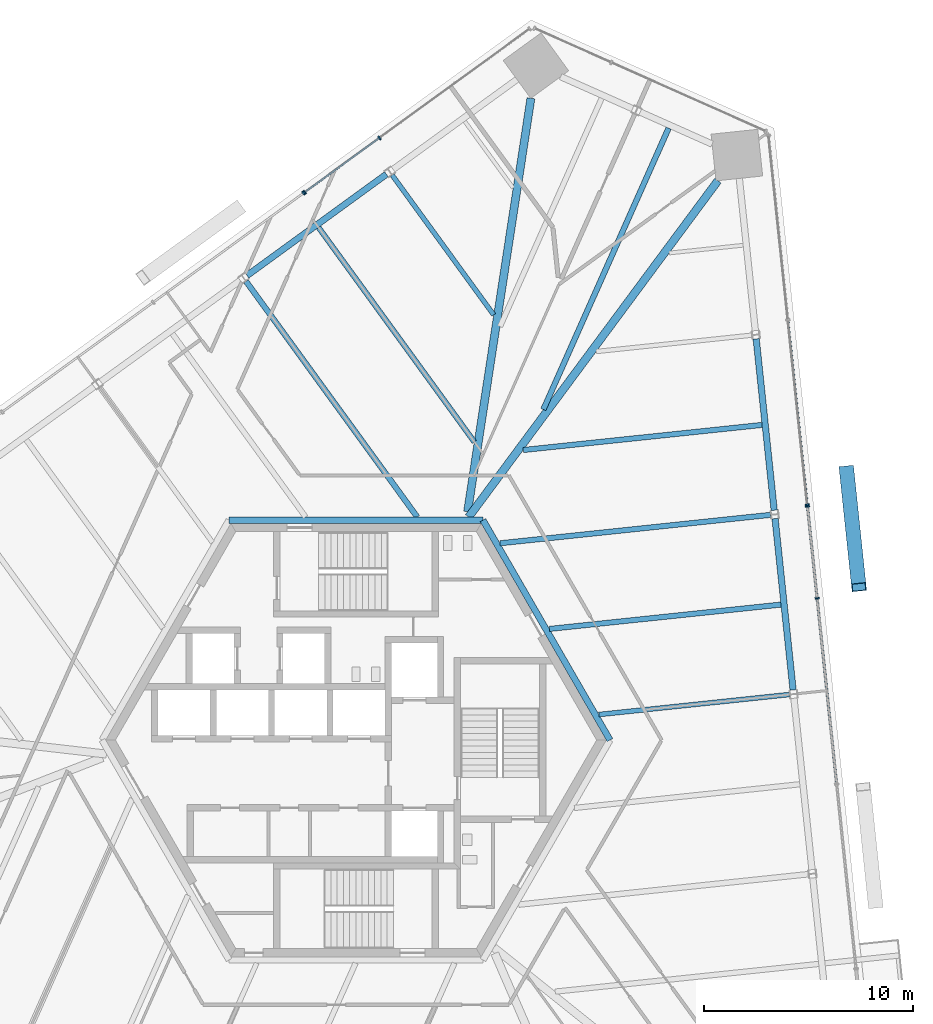
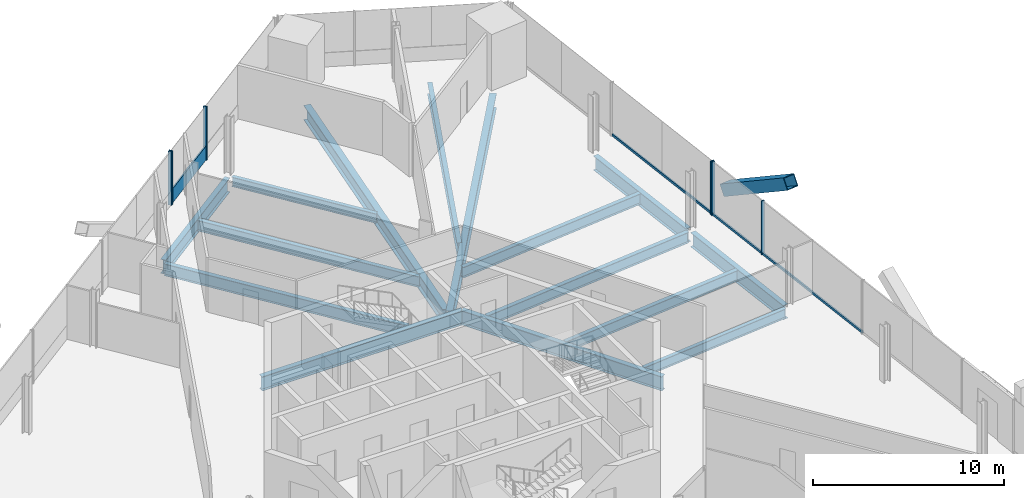
# One storey, part 8 of 19: 15 beams, 11 members, 4 elements without a shape of their own.
"""IFC4 building model written with IfcOpenShell, lengths in metres."""

from ifc_helpers import new_model, si_unit, direction, frame, origin, origin_2d, place, context, subcontext, project, spatial, rectangle, hollow_rectangle, i_section, extrude, source, transform, mapped, material, material_profile, profile_set, type_object, element, aggregate, save


model = new_model("IFC4")

# Units and contexts
model_context = context("Model", 3, precision=1e-05, world=origin(), true_north=direction((0.0, 1.0)))
body_context = subcontext(model_context, "Body", "Model", "MODEL_VIEW")
ifc_project = project(units=[si_unit("LENGTHUNIT", "METRE"), si_unit("AREAUNIT", "SQUARE_METRE"), si_unit("VOLUMEUNIT", "CUBIC_METRE"), si_unit("PLANEANGLEUNIT", "RADIAN"), si_unit("MASSUNIT", "GRAM", prefix="KILO")], contexts=[model_context])

# Site, building, storey
site_placement = place(None, origin())
site = spatial("IfcSite", under=ifc_project, at=site_placement, CompositionType="ELEMENT")
building_placement = place(site_placement, origin())
building = spatial("IfcBuilding", under=site, at=building_placement, Name="Triune Harvest Tower", CompositionType="ELEMENT")
storey_placement = place(building_placement, frame((0.0, 0.0, 69.300048828125)))
storey = spatial("IfcBuildingStorey", under=building, at=storey_placement, Name="L16", CompositionType="ELEMENT", Elevation=69.300048828125)

# Beams
ifc_material_1 = material(Name="Steel ASTM A992 Gr 50", Category="steel")
ifc_material_profile_1 = material_profile(ifc_material_1, i_section(OverallWidth=0.3046875, OverallDepth=0.914306640625, WebThickness=0.0166015625, FlangeThickness=0.02587890625, at=origin_2d()), Name="W36x160")
ifc_profile_set_1 = profile_set([ifc_material_profile_1], Name="Steel ASTM A992 Gr 50")
beam_type_1 = type_object("IfcBeamType", Name="CG-1 Core ring girder W36x160", PredefinedType="BEAM", material=ifc_profile_set_1)
shared_shape_1 = source(origin(), body_context, "Body", "SweptSolid", [
    extrude(i_section(OverallWidth=0.3046875, OverallDepth=0.914306640625, WebThickness=0.0166015625, FlangeThickness=0.02587890625, at=origin_2d()), origin(), (0.0, 0.0, 1.0), 12.176025390625),
])
beam_1_placement = place(storey_placement, frame((12.176025390625, 0.0, -0.6171875), z_axis=(-0.5000099932, 0.866019634131, 0.0), x_axis=(-0.866019634131, -0.5000099932, 0.0)))
element("IfcBeam", 1, at=beam_1_placement, inside=storey, type_object=beam_type_1, Name="beam/L16/CG1", PredefinedType="BEAM", context=body_context, shape_type="MappedRepresentation", body=[
    mapped(shared_shape_1, transform((0.0, 0.0, 0.0), scale=1.0)),
])
shared_shape_2 = source(origin(), body_context, "Body", "SweptSolid", [
    extrude(i_section(OverallWidth=0.3046875, OverallDepth=0.914306640625, WebThickness=0.0166015625, FlangeThickness=0.02587890625, at=origin_2d()), origin(), (0.0, 0.0, 1.0), 12.17578125),
])
beam_2_placement = place(storey_placement, frame((6.087890625, 10.544677734375, -0.6171875), z_axis=(-1.0, 0.0, 0.0), x_axis=(0.0, -1.0, 0.0)))
element("IfcBeam", 2, at=beam_2_placement, inside=storey, type_object=beam_type_1, Name="beam/L16/CG2", PredefinedType="BEAM", context=body_context, shape_type="MappedRepresentation", body=[
    mapped(shared_shape_2, transform((0.0, 0.0, 0.0), scale=1.0)),
])
ifc_material_2 = material(Name="Steel ASTM A992 Gr 50", Category="steel")
ifc_material_profile_2 = material_profile(ifc_material_2, i_section(OverallWidth=0.3046875, OverallDepth=0.914306640625, WebThickness=0.0166015625, FlangeThickness=0.02587890625, at=origin_2d()), Name="W36x160")
ifc_profile_set_2 = profile_set([ifc_material_profile_2], Name="Steel ASTM A992 Gr 50")
beam_type_2 = type_object("IfcBeamType", Name="SB-1 Spandrel beam W36x160", PredefinedType="SPANDREL", material=ifc_profile_set_2)
shared_shape_3 = source(origin(), body_context, "Body", "SweptSolid", [
    extrude(i_section(OverallWidth=0.3046875, OverallDepth=0.914306640625, WebThickness=0.0166015625, FlangeThickness=0.02587890625, at=origin_2d()), origin(), (0.0, 0.0, 1.0), 8.263427734375),
])
for number, where, z_axis, x_axis, name in (
    (3, (20.956298828125, 2.403076171875, -0.6171875), (-0.104560208485, 0.994518558299, 0.0), (-0.994518558299, -0.104560208485, 0.0), "beam/L16/SB4"),
    (4, (20.05078125, 11.017822265625, -0.6171875), (-0.104527914852, 0.994521953009, 0.0), (-0.994521953009, -0.104527914852, 0.0), "beam/L16/SB5"),
    (5, (1.45654296875, 27.130126953125, -0.6171875), (-0.809015786763, -0.587786914424, 0.0), (0.587786914424, -0.809015786763, 0.0), "beam/L16/SB10"),
):
    element("IfcBeam", number, at=place(storey_placement, frame(where, z_axis=z_axis, x_axis=x_axis)), inside=storey, type_object=beam_type_2, Name=name, PredefinedType="SPANDREL", context=body_context, shape_type="MappedRepresentation", body=[
        mapped(shared_shape_3, transform((0.0, 0.0, 0.0), scale=1.0)),
    ])
ifc_material_3 = material(Name="Steel ASTM A992 Gr 50", Category="steel")
ifc_material_profile_3 = material_profile(ifc_material_3, i_section(OverallWidth=0.383544921875, OverallDepth=0.9423828125, WebThickness=0.022216796875, FlangeThickness=0.039794921875, at=origin_2d()), Name="W36x232")
ifc_profile_set_3 = profile_set([ifc_material_profile_3], Name="Steel ASTM A992 Gr 50")
beam_type_3 = type_object("IfcBeamType", Name="HG-1 Hip girder W36x232", PredefinedType="BEAM", material=ifc_profile_set_3)
shared_shape_4 = source(origin(), body_context, "Body", "SweptSolid", [
    extrude(i_section(OverallWidth=0.383544921875, OverallDepth=0.9423828125, WebThickness=0.022216796875, FlangeThickness=0.039794921875, at=origin_2d()), origin(), (0.0, 0.0, 1.0), 20.071044921875),
])
beam_3_placement = place(storey_placement, frame((17.3515625, 26.822265625, -0.63134765625), z_axis=(-0.595422435489, -0.803412797581, 0.0), x_axis=(0.803412797581, -0.595422435489, 0.0)))
element("IfcBeam", 6, at=beam_3_placement, inside=storey, type_object=beam_type_3, Name="beam/L16/HG3", PredefinedType="BEAM", context=body_context, shape_type="MappedRepresentation", body=[
    mapped(shared_shape_4, transform((0.0, 0.0, 0.0), scale=1.0)),
])
shared_shape_5 = source(origin(), body_context, "Body", "SweptSolid", [
    extrude(i_section(OverallWidth=0.383544921875, OverallDepth=0.9423828125, WebThickness=0.022216796875, FlangeThickness=0.039794921875, at=origin_2d()), origin(), (0.0, 0.0, 1.0), 20.0546875),
])
beam_4_placement = place(storey_placement, frame((8.38623046875, 30.774169921875, -0.63134765625), z_axis=(-0.151393010927, -0.988473649746, 0.0), x_axis=(0.988473649746, -0.151393010927, 0.0)))
element("IfcBeam", 7, at=beam_4_placement, inside=storey, type_object=beam_type_3, Name="beam/L16/HG4", PredefinedType="BEAM", context=body_context, shape_type="MappedRepresentation", body=[
    mapped(shared_shape_5, transform((0.0, 0.0, 0.0), scale=1.0)),
])
ifc_material_4 = material(Name="Steel ASTM A992 Gr 50", Category="steel")
ifc_material_profile_4 = material_profile(ifc_material_4, i_section(OverallWidth=0.22900390625, OverallDepth=0.612060546875, WebThickness=0.011962890625, FlangeThickness=0.01953125, at=origin_2d()), Name="W24x84")
ifc_profile_set_4 = profile_set([ifc_material_profile_4], Name="Steel ASTM A992 Gr 50")
beam_type_4 = type_object("IfcBeamType", Name="JT-3 Floor joist W24x84", PredefinedType="JOIST", material=ifc_profile_set_4)
shared_shape_6 = source(origin(), body_context, "Body", "SweptSolid", [
    extrude(i_section(OverallWidth=0.22900390625, OverallDepth=0.612060546875, WebThickness=0.011962890625, FlangeThickness=0.01953125, at=origin_2d()), origin(), (0.0, 0.0, 1.0), 8.28173828125),
])
beam_5_placement = place(storey_placement, frame((1.733642578125, 27.087890625, -0.466064453125), z_axis=(0.587794772324, -0.809010077581, 0.0), x_axis=(0.809010077581, 0.587794772324, 0.0)))
element("IfcBeam", 8, at=beam_5_placement, inside=storey, type_object=beam_type_4, Name="beam/L16/JT15", PredefinedType="JOIST", context=body_context, shape_type="MappedRepresentation", body=[
    mapped(shared_shape_6, transform((0.0, 0.0, 0.0), scale=1.0)),
])
shared_shape_7 = source(origin(), body_context, "Body", "SweptSolid", [
    extrude(i_section(OverallWidth=0.22900390625, OverallDepth=0.612060546875, WebThickness=0.011962890625, FlangeThickness=0.01953125, at=origin_2d()), origin(), (0.0, 0.0, 1.0), 9.186279296875),
])
beam_6_placement = place(storey_placement, frame((20.78125, 2.18408203125, -0.466064453125), z_axis=(-0.99452494946, -0.10449940144, 0.0), x_axis=(0.10449940144, -0.99452494946, 0.0)))
element("IfcBeam", 9, at=beam_6_placement, inside=storey, type_object=beam_type_4, Name="beam/L16/JT6", PredefinedType="JOIST", context=body_context, shape_type="MappedRepresentation", body=[
    mapped(shared_shape_7, transform((0.0, 0.0, 0.0), scale=1.0)),
])
ifc_material_5 = material(Name="Steel ASTM A992 Gr 50", Category="steel")
ifc_material_profile_5 = material_profile(ifc_material_5, i_section(OverallWidth=0.253662109375, OverallDepth=0.683349609375, WebThickness=0.012451171875, FlangeThickness=0.01904296875, at=origin_2d()), Name="W27x94")
ifc_profile_set_5 = profile_set([ifc_material_profile_5], Name="Steel ASTM A992 Gr 50")
beam_type_5 = type_object("IfcBeamType", Name="JT-4 Floor joist W27x94", PredefinedType="JOIST", material=ifc_profile_set_5)
shared_shape_8 = source(origin(), body_context, "Body", "SweptSolid", [
    extrude(i_section(OverallWidth=0.253662109375, OverallDepth=0.683349609375, WebThickness=0.012451171875, FlangeThickness=0.01904296875, at=origin_2d()), origin(), (0.0, 0.0, 1.0), 11.158935546875),
])
beam_7_placement = place(storey_placement, frame((20.372802734375, 6.49609375, -0.501708984375), z_axis=(-0.994523540129, -0.104512813234, 0.0), x_axis=(0.104512813234, -0.994523540129, 0.0)))
element("IfcBeam", 10, at=beam_7_placement, inside=storey, type_object=beam_type_5, Name="beam/L16/JT7", PredefinedType="JOIST", context=body_context, shape_type="MappedRepresentation", body=[
    mapped(shared_shape_8, transform((0.0, 0.0, 0.0), scale=1.0)),
])
shared_shape_9 = source(origin(), body_context, "Body", "SweptSolid", [
    extrude(i_section(OverallWidth=0.253662109375, OverallDepth=0.683349609375, WebThickness=0.012451171875, FlangeThickness=0.01904296875, at=origin_2d()), origin(), (0.0, 0.0, 1.0), 13.04296875),
])
beam_8_placement = place(storey_placement, frame((19.875732421875, 10.799072265625, -0.501708984375), z_axis=(-0.99452051979, -0.104541550188, 0.0), x_axis=(0.104541550188, -0.99452051979, 0.0)))
element("IfcBeam", 11, at=beam_8_placement, inside=storey, type_object=beam_type_5, Name="beam/L16/JT8", PredefinedType="JOIST", context=body_context, shape_type="MappedRepresentation", body=[
    mapped(shared_shape_9, transform((0.0, 0.0, 0.0), scale=1.0)),
])
shared_shape_10 = source(origin(), body_context, "Body", "SweptSolid", [
    extrude(i_section(OverallWidth=0.253662109375, OverallDepth=0.683349609375, WebThickness=0.012451171875, FlangeThickness=0.01904296875, at=origin_2d()), origin(), (0.0, 0.0, 1.0), 11.51123046875),
])
beam_9_placement = place(storey_placement, frame((19.46728515625, 15.111083984375, -0.501708984375), z_axis=(-0.994520898324, -0.104537949071, 0.0), x_axis=(0.104537949071, -0.994520898324, 0.0)))
element("IfcBeam", 12, at=beam_9_placement, inside=storey, type_object=beam_type_5, Name="beam/L16/JT9", PredefinedType="JOIST", context=body_context, shape_type="MappedRepresentation", body=[
    mapped(shared_shape_10, transform((0.0, 0.0, 0.0), scale=1.0)),
])
ifc_material_6 = material(Name="Steel ASTM A992 Gr 50", Category="steel")
ifc_material_profile_6 = material_profile(ifc_material_6, i_section(OverallWidth=0.2666015625, OverallDepth=0.7568359375, WebThickness=0.013916015625, FlangeThickness=0.019287109375, at=origin_2d()), Name="W30x108")
ifc_profile_set_6 = profile_set([ifc_material_profile_6], Name="Steel ASTM A992 Gr 50")
beam_type_6 = type_object("IfcBeamType", Name="JT-5 Floor joist W30x108", PredefinedType="JOIST", material=ifc_profile_set_6)
shared_shape_11 = source(origin(), body_context, "Body", "SweptSolid", [
    extrude(i_section(OverallWidth=0.2666015625, OverallDepth=0.7568359375, WebThickness=0.013916015625, FlangeThickness=0.019287109375, at=origin_2d()), origin(), (0.0, 0.0, 1.0), 14.766357421875),
])
beam_10_placement = place(storey_placement, frame((14.987060546875, 29.33984375, -0.53857421875), z_axis=(-0.406727456384, -0.913549547766, 0.0), x_axis=(0.913549547766, -0.406727456384, 0.0)))
element("IfcBeam", 13, at=beam_10_placement, inside=storey, type_object=beam_type_6, Name="beam/L16/JT12", PredefinedType="JOIST", context=body_context, shape_type="MappedRepresentation", body=[
    mapped(shared_shape_11, transform((0.0, 0.0, 0.0), scale=1.0)),
])
shared_shape_12 = source(origin(), body_context, "Body", "SweptSolid", [
    extrude(i_section(OverallWidth=0.253662109375, OverallDepth=0.683349609375, WebThickness=0.012451171875, FlangeThickness=0.01904296875, at=origin_2d()), origin(), (0.0, 0.0, 1.0), 12.701904296875),
])
beam_11_placement = place(storey_placement, frame((-1.79638671875, 24.578369140625, -0.501708984375), z_axis=(0.587773910587, -0.809025234485, 0.0), x_axis=(0.809025234485, 0.587773910587, 0.0)))
element("IfcBeam", 14, at=beam_11_placement, inside=storey, type_object=beam_type_5, Name="beam/L16/JT16", PredefinedType="JOIST", context=body_context, shape_type="MappedRepresentation", body=[
    mapped(shared_shape_12, transform((0.0, 0.0, 0.0), scale=1.0)),
])
shared_shape_13 = source(origin(), body_context, "Body", "SweptSolid", [
    extrude(i_section(OverallWidth=0.2666015625, OverallDepth=0.7568359375, WebThickness=0.013916015625, FlangeThickness=0.019287109375, at=origin_2d()), origin(), (0.0, 0.0, 1.0), 13.967041015625),
])
beam_12_placement = place(storey_placement, frame((-5.2744140625, 21.99658203125, -0.53857421875), z_axis=(0.587790196646, -0.809013402069, 0.0), x_axis=(0.809013402069, 0.587790196646, 0.0)))
element("IfcBeam", 15, at=beam_12_placement, inside=storey, type_object=beam_type_6, Name="beam/L16/JT17", PredefinedType="JOIST", context=body_context, shape_type="MappedRepresentation", body=[
    mapped(shared_shape_13, transform((0.0, 0.0, 0.0), scale=1.0)),
])

# Member
ifc_material_7 = material(Name="Steel ASTM A572 Gr 50", Category="steel")
ifc_material_profile_7 = material_profile(ifc_material_7, hollow_rectangle(XDim=0.699951171875, YDim=0.699951171875, WallThickness=0.0400390625, at=origin_2d()), Name="Box 700x700x40")
ifc_profile_set_7 = profile_set([ifc_material_profile_7], Name="Steel ASTM A572 Gr 50")
member_type_1 = type_object("IfcMemberType", Name="BR-1 Brace Box 700x700x40", PredefinedType="BRACE", material=ifc_profile_set_7)
shared_shape_14 = source(origin(), body_context, "Body", "SweptSolid", [
    extrude(hollow_rectangle(XDim=0.699951171875, YDim=0.699951171875, WallThickness=0.0400390625, at=origin_2d()), origin(), (0.0, 0.0, 1.0), 6.7021484375),
])
member_1_placement = place(storey_placement, frame((23.522705078125, 12.9541015625, 0.0), z_axis=(0.088154221721, -0.838885773554, 0.537121487301), x_axis=(0.994523894921, 0.104509437045, 0.0)))
element("IfcMember", 16, at=member_1_placement, inside=storey, type_object=member_type_1, Name="brace/B2-F1/d2/4", PredefinedType="BRACE", context=body_context, shape_type="MappedRepresentation", body=[
    mapped(shared_shape_14, transform((0.0, 0.0, 0.0), scale=1.0)),
])

# Curtain wall, members
ifc_material_8 = material(Name="Aluminium bronze anodised", Category="aluminium")
curtain_wall_type_1 = type_object("IfcCurtainWallType", Name="CW-1 Tower stick curtain wall", PredefinedType="NOTDEFINED", material=ifc_material_8)
curtain_wall_1_placement = place(storey_placement, origin())
curtain_wall_1 = element("IfcCurtainWall", 17, at=curtain_wall_1_placement, inside=storey, type_object=curtain_wall_type_1, Name="CW-1 B2-F3 L16 run 1")
ifc_material_9 = material(Name="Aluminium bronze anodised", Category="aluminium")
ifc_material_profile_8 = material_profile(ifc_material_9, rectangle(XDim=0.199951171875, YDim=0.074951171875, at=origin_2d()), Name="MU-1 mullion 75 x 200")
ifc_profile_set_8 = profile_set([ifc_material_profile_8], Name="Aluminium bronze anodised")
member_type_2 = type_object("IfcMemberType", Name="MU-1 mullion 75 x 200", PredefinedType="MULLION", material=ifc_profile_set_8)
shared_shape_15 = source(origin(), body_context, "Body", "SweptSolid", [
    extrude(rectangle(XDim=0.199951171875, YDim=0.074951171875, at=origin_2d()), origin(), (0.0, 0.0, 1.0), 3.43994140625),
])
member_2_placement = place(storey_placement, frame((1.125732421875, 28.873779296875, 0.0), z_axis=(0.0, 0.0, 1.0), x_axis=(0.587785414122, -0.809016876799, 0.0)))
member_2 = element("IfcMember", 18, at=member_2_placement, type_object=member_type_2, Name="CW-1 mullion B2-F3 1.3", PredefinedType="MULLION", context=body_context, shape_type="MappedRepresentation", body=[
    mapped(shared_shape_15, transform((0.0, 0.0, 0.0), scale=1.0)),
])
member_3_placement = place(storey_placement, frame((-2.460693359375, 26.26806640625, 0.0), z_axis=(0.0, 0.0, 1.0), x_axis=(0.587785414122, -0.809016876799, 0.0)))
member_3 = element("IfcMember", 19, at=member_3_placement, type_object=member_type_2, Name="CW-1 mullion B2-F3 1.4", PredefinedType="MULLION", context=body_context, shape_type="MappedRepresentation", body=[
    mapped(shared_shape_15, transform((0.0, 0.0, 0.0), scale=1.0)),
])

# Curtain wall, member
ifc_material_10 = material(Name="Aluminium bronze anodised", Category="aluminium")
curtain_wall_type_2 = type_object("IfcCurtainWallType", Name="CW-7 Tower stick curtain wall with insulated spandrel infill", PredefinedType="NOTDEFINED", material=ifc_material_10)
curtain_wall_2_placement = place(storey_placement, origin())
curtain_wall_2 = element("IfcCurtainWall", 20, at=curtain_wall_2_placement, inside=storey, type_object=curtain_wall_type_2, Name="CW-7 B2-F3 L16 run 1001")
member_4_placement = place(storey_placement, frame((-2.521484375, 26.22412109375, 0.0), z_axis=(0.0, 0.0, 1.0), x_axis=(0.587786723131, -0.809015925746, 0.0)))
member_4 = element("IfcMember", 21, at=member_4_placement, type_object=member_type_2, Name="CW-7 mullion B2-F3 1001.1", PredefinedType="MULLION", context=body_context, shape_type="MappedRepresentation", body=[
    mapped(shared_shape_15, transform((0.0, 0.0, 0.0), scale=1.0)),
])
aggregate(curtain_wall_2, [member_4])

# Curtain wall, members
ifc_material_11 = material(Name="Aluminium bronze anodised", Category="aluminium")
curtain_wall_type_3 = type_object("IfcCurtainWallType", Name="CW-10 Balcony window wall with insulated spandrel infill", PredefinedType="NOTDEFINED", material=ifc_material_11)
curtain_wall_3_placement = place(storey_placement, origin())
curtain_wall_3 = element("IfcCurtainWall", 22, at=curtain_wall_3_placement, inside=storey, type_object=curtain_wall_type_3, Name="CW-10 B2-F1 L16 run 2")
ifc_material_12 = material(Name="Aluminium bronze anodised", Category="aluminium")
ifc_material_profile_9 = material_profile(ifc_material_12, rectangle(XDim=0.199951171875, YDim=0.074951171875, at=origin_2d()), Name="MU-6 mullion 75 x 200")
ifc_profile_set_9 = profile_set([ifc_material_profile_9], Name="Aluminium bronze anodised")
member_type_3 = type_object("IfcMemberType", Name="MU-6 mullion 75 x 200", PredefinedType="MULLION", material=ifc_profile_set_9)
shared_shape_16 = source(origin(), body_context, "Body", "SweptSolid", [
    extrude(rectangle(XDim=0.199951171875, YDim=0.074951171875, at=origin_2d()), origin(), (0.0, 0.0, 1.0), 3.43994140625),
])
member_5_placement = place(storey_placement, frame((22.108642578125, 6.793701171875, 0.0), z_axis=(0.0, 0.0, 1.0), x_axis=(-0.994522005277, -0.104527417554, 0.0)))
member_5 = element("IfcMember", 23, at=member_5_placement, type_object=member_type_3, Name="CW-10 mullion B2-F1 2.5", PredefinedType="MULLION", context=body_context, shape_type="MappedRepresentation", body=[
    mapped(shared_shape_16, transform((0.0, 0.0, 0.0), scale=1.0)),
])
member_6_placement = place(storey_placement, frame((21.644775390625, 11.20751953125, 0.0), z_axis=(0.0, 0.0, 1.0), x_axis=(-0.994522005277, -0.104527417554, 0.0)))
member_6 = element("IfcMember", 24, at=member_6_placement, type_object=member_type_3, Name="CW-10 mullion B2-F1 2.6", PredefinedType="MULLION", context=body_context, shape_type="MappedRepresentation", body=[
    mapped(shared_shape_16, transform((0.0, 0.0, 0.0), scale=1.0)),
])

# Curtain wall, member
ifc_material_13 = material(Name="Aluminium bronze anodised", Category="aluminium")
curtain_wall_type_4 = type_object("IfcCurtainWallType", Name="CW-6 Balcony window wall", PredefinedType="NOTDEFINED", material=ifc_material_13)
curtain_wall_4_placement = place(storey_placement, origin())
curtain_wall_4 = element("IfcCurtainWall", 25, at=curtain_wall_4_placement, inside=storey, type_object=curtain_wall_type_4, Name="CW-6 B2-F1 L16 run 1002")
member_7_placement = place(storey_placement, frame((21.636962890625, 11.281982421875, 0.0), z_axis=(0.0, 0.0, 1.0), x_axis=(-0.994521977132, -0.104527685331, 0.0)))
member_7 = element("IfcMember", 26, at=member_7_placement, type_object=member_type_3, Name="CW-6 mullion B2-F1 1002.1", PredefinedType="MULLION", context=body_context, shape_type="MappedRepresentation", body=[
    mapped(shared_shape_16, transform((0.0, 0.0, 0.0), scale=1.0)),
])

# Member
ifc_material_14 = material(Name="Aluminium bronze anodised", Category="aluminium")
ifc_material_profile_10 = material_profile(ifc_material_14, rectangle(XDim=0.090087890625, YDim=0.14990234375, at=origin_2d()), Name="TR-6 transom 90 x 150")
ifc_profile_set_10 = profile_set([ifc_material_profile_10], Name="Aluminium bronze anodised")
member_type_4 = type_object("IfcMemberType", Name="TR-6 transom 90 x 150", PredefinedType="USERDEFINED", material=ifc_profile_set_10)
shared_shape_17 = source(origin(), body_context, "Body", "SweptSolid", [
    extrude(rectangle(XDim=0.090087890625, YDim=0.14990234375, at=origin_2d()), origin(), (0.0, 0.0, 1.0), 8.8759765625),
])
member_8_placement = place(storey_placement, frame((23.04052734375, -2.071044921875, 0.074951171875), z_axis=(-0.104548762725, 0.9945197616, 0.0), x_axis=(-0.9945197616, -0.104548762725, 0.0)))
member_8 = element("IfcMember", 27, at=member_8_placement, type_object=member_type_4, Name="CW-10 transom B2-F1 2.2", ObjectType="TRANSOM", PredefinedType="USERDEFINED", context=body_context, shape_type="MappedRepresentation", body=[
    mapped(shared_shape_17, transform((0.0, 0.0, 0.0), scale=1.0)),
])

shared_shape_18 = source(origin(), body_context, "Body", "SweptSolid", [
    extrude(rectangle(XDim=0.090087890625, YDim=0.14990234375, at=origin_2d()), origin(), (0.0, 0.0, 1.0), 4.363037109375),
])
member_9_placement = place(storey_placement, frame((22.104736328125, 6.8310546875, 0.074951171875), z_axis=(-0.10452749066, 0.994521997593, 0.0), x_axis=(-0.994521997593, -0.10452749066, 0.0)))
member_9 = element("IfcMember", 28, at=member_9_placement, type_object=member_type_4, Name="CW-10 transom B2-F1 2.3", ObjectType="TRANSOM", PredefinedType="USERDEFINED", context=body_context, shape_type="MappedRepresentation", body=[
    mapped(shared_shape_18, transform((0.0, 0.0, 0.0), scale=1.0)),
])

aggregate(curtain_wall_3, [member_5, member_6, member_8, member_9])

shared_shape_19 = source(origin(), body_context, "Body", "SweptSolid", [
    extrude(rectangle(XDim=0.090087890625, YDim=0.14990234375, at=origin_2d()), origin(), (0.0, 0.0, 1.0), 8.838623046875),
])
member_10_placement = place(storey_placement, frame((21.633056640625, 11.3193359375, 0.074951171875), z_axis=(-0.10452086856, 0.994522693575, 0.0), x_axis=(-0.994522693575, -0.10452086856, 0.0)))
member_10 = element("IfcMember", 29, at=member_10_placement, type_object=member_type_4, Name="CW-6 transom B2-F1 1002.1", ObjectType="TRANSOM", PredefinedType="USERDEFINED", context=body_context, shape_type="MappedRepresentation", body=[
    mapped(shared_shape_19, transform((0.0, 0.0, 0.0), scale=1.0)),
])

aggregate(curtain_wall_4, [member_7, member_10])

ifc_material_15 = material(Name="Aluminium bronze anodised", Category="aluminium")
ifc_material_profile_11 = material_profile(ifc_material_15, rectangle(XDim=0.090087890625, YDim=0.89990234375, at=origin_2d()), Name="TR-1 transom 90 x 900")
ifc_profile_set_11 = profile_set([ifc_material_profile_11], Name="Aluminium bronze anodised")
member_type_5 = type_object("IfcMemberType", Name="TR-1 transom 90 x 900", PredefinedType="USERDEFINED", material=ifc_profile_set_11)
shared_shape_20 = source(origin(), body_context, "Body", "SweptSolid", [
    extrude(rectangle(XDim=0.090087890625, YDim=0.89990234375, at=origin_2d()), origin(), (0.0, 0.0, 1.0), 4.35791015625),
])
member_11_placement = place(storey_placement, frame((1.09521484375, 28.851806640625, 0.449951171875), z_axis=(-0.809017011609, -0.587785228572, 0.0), x_axis=(0.587785228572, -0.809017011609, 0.0)))
member_11 = element("IfcMember", 30, at=member_11_placement, type_object=member_type_5, Name="CW-1 transom B2-F3 1.2", ObjectType="TRANSOM", PredefinedType="USERDEFINED", context=body_context, shape_type="MappedRepresentation", body=[
    mapped(shared_shape_20, transform((0.0, 0.0, 0.0), scale=1.0)),
])

aggregate(curtain_wall_1, [member_2, member_3, member_11])

save(model, "model.ifc")
